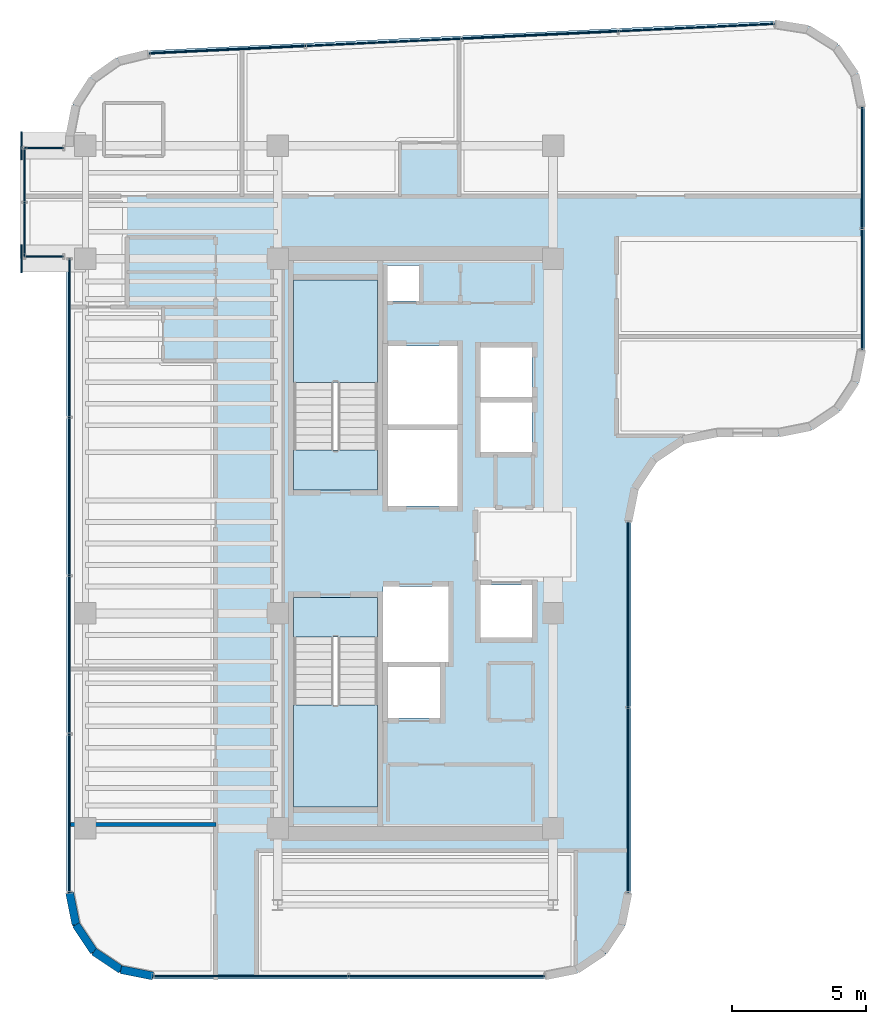
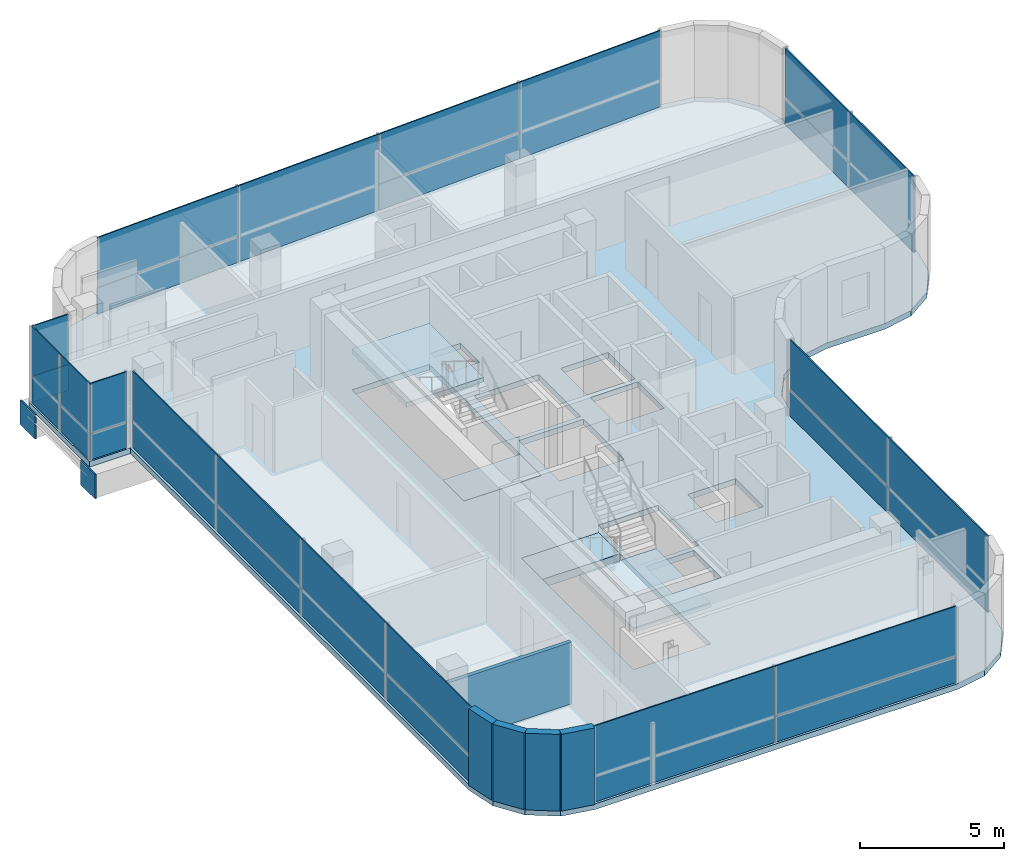
# One storey, part 15 of 20: 30 plates, 5 slabs, 5 walls, 10 elements without a shape of their own.
"""IFC4 building model written with IfcOpenShell, lengths in metres."""

from ifc_helpers import new_model, si_unit, direction, frame, frame_2d, origin, origin_2d, place, context, subcontext, project, spatial, polyline, rectangle, outline, extrude, source, transform, mapped, material, layer, layer_set, type_object, element, aggregate, save


model = new_model("IFC4")

# Units and contexts
model_context = context("Model", 3, precision=1e-05, world=origin(), true_north=direction((0.0, 1.0)))
body_context = subcontext(model_context, "Body", "Model", "MODEL_VIEW")
ifc_project = project(units=[si_unit("LENGTHUNIT", "METRE"), si_unit("AREAUNIT", "SQUARE_METRE"), si_unit("VOLUMEUNIT", "CUBIC_METRE"), si_unit("PLANEANGLEUNIT", "RADIAN"), si_unit("MASSUNIT", "GRAM", prefix="KILO")], contexts=[model_context])

# Site, building, storey
site_placement = place(None, origin())
site = spatial("IfcSite", under=ifc_project, at=site_placement, CompositionType="ELEMENT")
building_placement = place(site_placement, origin())
building = spatial("IfcBuilding", under=site, at=building_placement, Name="Valdorenza Pilgrim Sanctuary Tower", CompositionType="ELEMENT")
storey_placement = place(building_placement, frame((0.0, 0.0, 283.5)))
storey = spatial("IfcBuildingStorey", under=building, at=storey_placement, Name="L74", CompositionType="ELEMENT", Elevation=283.5)

# Slab
ifc_material_1 = material(Name="Concrete C40/50", Category="concrete")
ifc_layer_1 = layer(ifc_material_1, 0.239990234375, Name="Concrete C40/50")
ifc_layer_set_1 = layer_set([ifc_layer_1], Name="Concrete C40/50")
slab_type_1 = type_object("IfcSlabType", Name="SLAB-FLR-220", PredefinedType="FLOOR", material=ifc_layer_set_1)
slab_1_placement = place(storey_placement, frame((0.0, 0.0, -0.239990234375)))
element("IfcSlab", 1, at=slab_1_placement, inside=storey, type_object=slab_type_1, Name="L74 Structural Floor Slab 1", PredefinedType="FLOOR", context=body_context, shape_type="SweptSolid", body=[
    extrude(outline(polyline([(-30.2705078125, 16.3369140625), (-29.615478515625, 17.356201171875), (-28.628173828125, 18.05859375), (-27.45068359375, 18.34375), (-4.150634765625, 19.442138671875), (-2.880615234375, 19.243408203125), (-1.791259765625, 18.56103515625), (-1.05810546875, 17.5048828125), (-0.800048828125, 16.24560546875), (-0.800048828125, 7.199951171875), (-1.043701171875, 5.975341796875), (-1.7373046875, 4.937255859375), (-2.775390625, 4.24365234375), (-4.0, 4.0), (-6.300048828125, 4.0), (-7.524658203125, 3.75634765625), (-8.562744140625, 3.062744140625), (-9.25634765625, 2.024658203125), (-9.5, 0.800048828125), (-9.5, -13.0), (-9.74365234375, -14.224609375), (-10.437255859375, -15.2626953125), (-11.475341796875, -15.956298828125), (-12.699951171875, -16.199951171875), (-27.300048828125, -16.199951171875), (-28.524658203125, -15.956298828125), (-29.562744140625, -15.2626953125), (-30.25634765625, -14.224609375), (-30.5, -13.0), (-30.5, 10.60009765625), (-32.14990234375, 10.60009765625), (-32.14990234375, 14.800048828125), (-30.5, 14.800048828125), (-30.5, 15.147216796875), (-30.2705078125, 16.3369140625)]), holes=[polyline([(-22.050048828125, -9.800048828125), (-18.93994140625, -9.800048828125), (-18.93994140625, -3.485107421875), (-18.93994140625, -2.0), (-22.050048828125, -2.0), (-22.050048828125, -3.485107421875), (-22.050048828125, -9.800048828125)]), polyline([(-16.60009765625, -6.5), (-16.60009765625, -4.60009765625), (-18.550048828125, -4.60009765625), (-18.550048828125, -6.5), (-16.60009765625, -6.5)]), polyline([(-22.050048828125, 2.0), (-18.93994140625, 2.0), (-18.93994140625, 3.485107421875), (-18.93994140625, 9.800048828125), (-22.050048828125, 9.800048828125), (-22.050048828125, 3.485107421875), (-22.050048828125, 2.0)]), polyline([(-17.360107421875, 9.030029296875), (-17.360107421875, 10.35009765625), (-18.570068359375, 10.35009765625), (-18.570068359375, 9.030029296875), (-17.360107421875, 9.030029296875)]), polyline([(-16.300048828125, -1.60009765625), (-18.719970703125, -1.60009765625), (-18.719970703125, -4.39990234375), (-16.300048828125, -4.39990234375), (-16.300048828125, -1.60009765625)]), polyline([(-13.179931640625, -3.5), (-13.179931640625, -1.550048828125), (-15.10009765625, -1.550048828125), (-15.10009765625, -3.5), (-13.179931640625, -3.5)]), polyline([(-15.949951171875, 1.39990234375), (-15.949951171875, 4.22509765625), (-18.550048828125, 4.22509765625), (-18.550048828125, 1.39990234375), (-15.949951171875, 1.39990234375)]), polyline([(-13.179931640625, 5.25), (-15.10009765625, 5.25), (-15.10009765625, 3.39990234375), (-13.179931640625, 3.39990234375), (-13.179931640625, 5.25)]), polyline([(-15.949951171875, 4.425048828125), (-15.949951171875, 7.35009765625), (-18.550048828125, 7.35009765625), (-18.550048828125, 4.425048828125), (-15.949951171875, 4.425048828125)]), polyline([(-13.179931640625, 5.449951171875), (-13.179931640625, 7.300048828125), (-15.10009765625, 7.300048828125), (-15.10009765625, 5.449951171875), (-13.179931640625, 5.449951171875)])]), origin(), (0.0, 0.0, 1.0), 0.239990234375),
])

# Stair, slab
stair_type = type_object("IfcStairType", Name="STR-DOG-CORE", PredefinedType="HALF_TURN_STAIR", material=ifc_material_1)
stair_1_placement = place(storey_placement, origin())
stair_1 = element("IfcStair", 2, at=stair_1_placement, inside=storey, type_object=stair_type, Name="L74 ST-A1", PredefinedType="HALF_TURN_STAIR")
ifc_layer_2 = layer(ifc_material_1, 0.199951171875, Name="Concrete C40/50")
ifc_layer_set_2 = layer_set([ifc_layer_2], Name="Concrete C40/50")
slab_type_2 = type_object("IfcSlabType", Name="SLAB-STL-200", PredefinedType="LANDING", material=ifc_layer_set_2)
slab_2_placement = place(storey_placement, frame((0.0, 0.0, 1.550048828125)))
slab_2 = element("IfcSlab", 3, at=slab_2_placement, type_object=slab_type_2, Name="ST-A1 landing 1", PredefinedType="LANDING", context=body_context, shape_type="SweptSolid", body=[
    extrude(outline(polyline([(-18.93994140625, 6.0), (-18.93994140625, 9.800048828125), (-22.050048828125, 9.800048828125), (-22.050048828125, 6.0), (-18.93994140625, 6.0)])), origin(), (0.0, 0.0, 1.0), 0.199951171875),
])
aggregate(stair_1, [slab_2])

stair_2_placement = place(storey_placement, origin())
stair_2 = element("IfcStair", 4, at=stair_2_placement, inside=storey, type_object=stair_type, Name="L74 ST-A2", PredefinedType="HALF_TURN_STAIR")
slab_3_placement = place(storey_placement, frame((0.0, 0.0, 1.550048828125)))
slab_3 = element("IfcSlab", 5, at=slab_3_placement, type_object=slab_type_2, Name="ST-A2 landing 1", PredefinedType="LANDING", context=body_context, shape_type="SweptSolid", body=[
    extrude(outline(polyline([(-22.050048828125, -6.0), (-22.050048828125, -9.800048828125), (-18.93994140625, -9.800048828125), (-18.93994140625, -6.0), (-22.050048828125, -6.0)])), origin(), (0.0, 0.0, 1.0), 0.199951171875),
])
aggregate(stair_2, [slab_3])

# Slabs
ifc_material_2 = material(Name="Concrete C50/60", Category="concrete")
ifc_layer_3 = layer(ifc_material_2, 0.39990234375, Name="Concrete C50/60")
ifc_layer_set_3 = layer_set([ifc_layer_3], Name="Concrete C50/60")
slab_type_3 = type_object("IfcSlabType", Name="SLAB-TRF-400", PredefinedType="FLOOR", material=ifc_layer_set_3)
slab_4_placement = place(storey_placement, frame((0.0, 0.0, -0.360107421875)))
element("IfcSlab", 6, at=slab_4_placement, inside=storey, type_object=slab_type_3, Name="L74 ST-A1 Structural Stair Landing Bearing Slab", PredefinedType="FLOOR", context=body_context, shape_type="SweptSolid", body=[
    extrude(outline(polyline([(-22.050048828125, 2.0), (-18.93994140625, 2.0), (-18.93994140625, 3.485107421875), (-22.050048828125, 3.485107421875), (-22.050048828125, 2.0)])), origin(), (0.0, 0.0, 1.0), 0.360107421875),
])
slab_5_placement = place(storey_placement, frame((0.0, 0.0, -0.360107421875)))
element("IfcSlab", 7, at=slab_5_placement, inside=storey, type_object=slab_type_3, Name="L74 ST-A2 Structural Stair Landing Bearing Slab", PredefinedType="FLOOR", context=body_context, shape_type="SweptSolid", body=[
    extrude(outline(polyline([(-22.050048828125, -3.485107421875), (-18.93994140625, -3.485107421875), (-18.93994140625, -2.0), (-22.050048828125, -2.0), (-22.050048828125, -3.485107421875)])), origin(), (0.0, 0.0, 1.0), 0.360107421875),
])

# Plates
ifc_material_3 = material(Name="Steel ASTM A572 Grade 42", Category="steel")
ifc_layer_4 = layer(ifc_material_3, 0.06005859375, Name="Steel ASTM A572 Grade 42")
ifc_layer_set_4 = layer_set([ifc_layer_4], Name="Steel ASTM A572 Grade 42")
plate_type_1 = type_object("IfcPlateType", Name="PLT-CAP-60", PredefinedType="SHEET", material=ifc_layer_set_4)
shared_shape_1 = source(origin(), body_context, "Body", "SweptSolid", [
    extrude(rectangle(XDim=0.06005859375, YDim=1.0400390625, at=origin_2d()), origin(), (0.0, 0.0, 1.0), 1.0400390625),
])
for number, where, z_axis, x_axis, name in (
    (8, (-32.179931640625, 14.800048828125, -1.260009765625), (0.0, 0.0, 1.0), (1.0, 0.0, 0.0), "L74 BOX-WA-L74 Cantilever Tip End Cap N"),
    (9, (-32.179931640625, 10.60009765625, -1.260009765625), (0.0, 0.0, 1.0), (1.0, 0.0, 0.0), "L74 BOX-WA-L74 Cantilever Tip End Cap S"),
):
    element("IfcPlate", number, at=place(storey_placement, frame(where, z_axis=z_axis, x_axis=x_axis)), inside=storey, type_object=plate_type_1, Name=name, PredefinedType="SHEET", context=body_context, shape_type="MappedRepresentation", body=[
        mapped(shared_shape_1, transform((0.0, 0.0, 0.0), x_axis=(1.0, 0.0, 0.0), y_axis=(0.0, 1.0, 0.0), z_axis=(0.0, 0.0, 1.0), scale=1.0)),
    ])

# Curtain wall, plate
ifc_material_4 = material(Name="Curtain-wall IGU glazing", Category="glass")
curtain_wall_type = type_object("IfcCurtainWallType", Name="CW-SYS-02", PredefinedType="NOTDEFINED", material=ifc_material_4)
curtain_wall_1_placement = place(storey_placement, origin())
curtain_wall_1 = element("IfcCurtainWall", 10, at=curtain_wall_1_placement, inside=storey, type_object=curtain_wall_type, Name="L74 Curtain Wall CW-L74-BOX-WA-L74-S", PredefinedType="NOTDEFINED")
ifc_material_5 = material(Name="Honed travertine limestone", Category="masonry")
ifc_layer_5 = layer(ifc_material_5, 0.050048828125, Name="Honed travertine limestone")
ifc_layer_set_5 = layer_set([ifc_layer_5], Name="Honed travertine limestone")
plate_type_2 = type_object("IfcPlateType", Name="CW-SPN-TRV", PredefinedType="USERDEFINED", material=ifc_layer_set_5)
shared_shape_2 = source(origin(), body_context, "Body", "SweptSolid", [
    extrude(rectangle(XDim=1.43994140625, YDim=0.06005859375, at=origin_2d()), origin(), (0.0, 0.0, 1.0), 1.10009765625),
])
plate_1_placement = place(storey_placement, frame((-31.340087890625, 10.679931640625, 0.010009765625), z_axis=(0.0, 0.0, 1.0), x_axis=(-1.0, 0.0, 0.0)))
plate_1 = element("IfcPlate", 11, at=plate_1_placement, type_object=plate_type_2, Name="CW-L74-BOX-WA-L74-S Travertine Spandrel 1", ObjectType="SPANDREL", PredefinedType="USERDEFINED", context=body_context, shape_type="MappedRepresentation", body=[
    mapped(shared_shape_2, transform((0.0, 0.0, 0.0), x_axis=(1.0, 0.0, 0.0), y_axis=(0.0, 1.0, 0.0), z_axis=(0.0, 0.0, 1.0), scale=1.0)),
])

curtain_wall_2_placement = place(storey_placement, origin())
curtain_wall_2 = element("IfcCurtainWall", 12, at=curtain_wall_2_placement, inside=storey, type_object=curtain_wall_type, Name="L74 Curtain Wall CW-L74-BOX-WA-L74-N", PredefinedType="NOTDEFINED")
plate_2_placement = place(storey_placement, frame((-31.340087890625, 14.719970703125, 0.010009765625), z_axis=(0.0, 0.0, 1.0), x_axis=(1.0, 0.0, 0.0)))
plate_2 = element("IfcPlate", 13, at=plate_2_placement, type_object=plate_type_2, Name="CW-L74-BOX-WA-L74-N Travertine Spandrel 1", ObjectType="SPANDREL", PredefinedType="USERDEFINED", context=body_context, shape_type="MappedRepresentation", body=[
    mapped(shared_shape_2, transform((0.0, 0.0, 0.0), x_axis=(1.0, 0.0, 0.0), y_axis=(0.0, 1.0, 0.0), z_axis=(0.0, 0.0, 1.0), scale=1.0)),
])

curtain_wall_3_placement = place(storey_placement, origin())
curtain_wall_3 = element("IfcCurtainWall", 14, at=curtain_wall_3_placement, inside=storey, type_object=curtain_wall_type, Name="L74 Curtain Wall CW-L74-BOX-WA-L74-F", PredefinedType="NOTDEFINED")
shared_shape_3 = source(origin(), body_context, "Body", "SweptSolid", [
    extrude(rectangle(XDim=2.0, YDim=0.06005859375, at=origin_2d()), origin(), (0.0, 0.0, 1.0), 1.10009765625),
])
plate_3_placement = place(storey_placement, frame((-32.070068359375, 11.68994140625, 0.010009765625), z_axis=(0.0, 0.0, 1.0), x_axis=(0.0, 1.0, 0.0)))
plate_3 = element("IfcPlate", 15, at=plate_3_placement, type_object=plate_type_2, Name="CW-L74-BOX-WA-L74-F Travertine Spandrel 1", ObjectType="SPANDREL", PredefinedType="USERDEFINED", context=body_context, shape_type="MappedRepresentation", body=[
    mapped(shared_shape_3, transform((0.0, 0.0, 0.0), x_axis=(1.0, 0.0, 0.0), y_axis=(0.0, 1.0, 0.0), z_axis=(0.0, 0.0, 1.0), scale=1.0)),
])

# Plate
ifc_material_6 = material(Name="Ceramic-fritted low-E IGU glazing", Category="glass")
ifc_layer_6 = layer(ifc_material_6, 0.035888671875, Name="Ceramic-fritted low-E IGU glazing")
ifc_layer_set_6 = layer_set([ifc_layer_6], Name="Ceramic-fritted low-E IGU glazing")
plate_type_3 = type_object("IfcPlateType", Name="CW-GLZ-IGU", PredefinedType="USERDEFINED", material=ifc_layer_set_6)
shared_shape_4 = source(origin(), body_context, "Body", "SweptSolid", [
    extrude(rectangle(XDim=1.43994140625, YDim=0.050048828125, at=origin_2d()), origin(), (0.0, 0.0, 1.0), 2.1201171875),
])
plate_4_placement = place(storey_placement, frame((-31.340087890625, 10.679931640625, 1.1298828125), z_axis=(0.0, 0.0, 1.0), x_axis=(-1.0, 0.0, 0.0)))
plate_4 = element("IfcPlate", 16, at=plate_4_placement, type_object=plate_type_3, Name="CW-L74-BOX-WA-L74-S Facade Panel 1", ObjectType="GLAZING", PredefinedType="USERDEFINED", context=body_context, shape_type="MappedRepresentation", body=[
    mapped(shared_shape_4, transform((0.0, 0.0, 0.0), x_axis=(1.0, 0.0, 0.0), y_axis=(0.0, 1.0, 0.0), z_axis=(0.0, 0.0, 1.0), scale=1.0)),
])

aggregate(curtain_wall_1, [plate_1, plate_4])

plate_5_placement = place(storey_placement, frame((-31.340087890625, 14.719970703125, 1.1298828125), z_axis=(0.0, 0.0, 1.0), x_axis=(1.0, 0.0, 0.0)))
plate_5 = element("IfcPlate", 17, at=plate_5_placement, type_object=plate_type_3, Name="CW-L74-BOX-WA-L74-N Facade Panel 1", ObjectType="GLAZING", PredefinedType="USERDEFINED", context=body_context, shape_type="MappedRepresentation", body=[
    mapped(shared_shape_4, transform((0.0, 0.0, 0.0), x_axis=(1.0, 0.0, 0.0), y_axis=(0.0, 1.0, 0.0), z_axis=(0.0, 0.0, 1.0), scale=1.0)),
])

aggregate(curtain_wall_2, [plate_2, plate_5])

shared_shape_5 = source(origin(), body_context, "Body", "SweptSolid", [
    extrude(rectangle(XDim=2.0, YDim=0.050048828125, at=origin_2d()), origin(), (0.0, 0.0, 1.0), 2.1201171875),
])
plate_6_placement = place(storey_placement, frame((-32.070068359375, 11.68994140625, 1.1298828125), z_axis=(0.0, 0.0, 1.0), x_axis=(0.0, 1.0, 0.0)))
plate_6 = element("IfcPlate", 18, at=plate_6_placement, type_object=plate_type_3, Name="CW-L74-BOX-WA-L74-F Facade Panel 1", ObjectType="GLAZING", PredefinedType="USERDEFINED", context=body_context, shape_type="MappedRepresentation", body=[
    mapped(shared_shape_5, transform((0.0, 0.0, 0.0), x_axis=(1.0, 0.0, 0.0), y_axis=(0.0, 1.0, 0.0), z_axis=(0.0, 0.0, 1.0), scale=1.0)),
])

shared_shape_6 = source(origin(), body_context, "Body", "SweptSolid", [
    extrude(rectangle(XDim=2.0, YDim=0.050048828125, at=origin_2d()), origin(), (0.0, 0.0, 1.0), 3.239990234375),
])
plate_7_placement = place(storey_placement, frame((-32.070068359375, 13.7099609375, 0.009765625), z_axis=(0.0, 0.0, 1.0), x_axis=(0.0, 1.0, 0.0)))
plate_7 = element("IfcPlate", 19, at=plate_7_placement, type_object=plate_type_3, Name="CW-L74-BOX-WA-L74-F Full-Height Facade Panel 2", ObjectType="GLAZING", PredefinedType="USERDEFINED", context=body_context, shape_type="MappedRepresentation", body=[
    mapped(shared_shape_6, transform((0.0, 0.0, 0.0), x_axis=(1.0, 0.0, 0.0), y_axis=(0.0, 1.0, 0.0), z_axis=(0.0, 0.0, 1.0), scale=1.0)),
])

aggregate(curtain_wall_3, [plate_3, plate_6, plate_7])

# Curtain wall, plates
curtain_wall_4_placement = place(storey_placement, origin())
curtain_wall_4 = element("IfcCurtainWall", 20, at=curtain_wall_4_placement, inside=storey, type_object=curtain_wall_type, Name="L74 Curtain Wall CW-L74-1-6", PredefinedType="NOTDEFINED")
shared_shape_7 = source(origin(), body_context, "Body", "SweptSolid", [
    extrude(rectangle(XDim=5.805908203125, YDim=0.06005859375, at=origin_2d()), origin(), (0.0, 0.0, 1.0), 1.10009765625),
])
plate_8_placement = place(storey_placement, frame((-24.525146484375, 18.37158203125, 0.010009765625), z_axis=(0.0, 0.0, 1.0), x_axis=(0.998890696972, 0.047089016785, 0.0)))
plate_8 = element("IfcPlate", 21, at=plate_8_placement, type_object=plate_type_2, Name="CW-L74-1-6 Travertine Spandrel 1", ObjectType="SPANDREL", PredefinedType="USERDEFINED", context=body_context, shape_type="MappedRepresentation", body=[
    mapped(shared_shape_7, transform((0.0, 0.0, 0.0), x_axis=(1.0, 0.0, 0.0), y_axis=(0.0, 1.0, 0.0), z_axis=(0.0, 0.0, 1.0), scale=1.0)),
])
plate_9_placement = place(storey_placement, frame((-12.885986328125, 18.920166015625, 0.010009765625), z_axis=(0.0, 0.0, 1.0), x_axis=(0.998890696972, 0.047089016785, 0.0)))
plate_9 = element("IfcPlate", 22, at=plate_9_placement, type_object=plate_type_2, Name="CW-L74-1-6 Travertine Spandrel 3", ObjectType="SPANDREL", PredefinedType="USERDEFINED", context=body_context, shape_type="MappedRepresentation", body=[
    mapped(shared_shape_7, transform((0.0, 0.0, 0.0), x_axis=(1.0, 0.0, 0.0), y_axis=(0.0, 1.0, 0.0), z_axis=(0.0, 0.0, 1.0), scale=1.0)),
])
shared_shape_8 = source(origin(), body_context, "Body", "SweptSolid", [
    extrude(rectangle(XDim=5.805908203125, YDim=0.050048828125, at=origin_2d()), origin(), (0.0, 0.0, 1.0), 2.1201171875),
])
plate_10_placement = place(storey_placement, frame((-24.525146484375, 18.37158203125, 1.1298828125), z_axis=(0.0, 0.0, 1.0), x_axis=(0.998890696972, 0.047089016785, 0.0)))
plate_10 = element("IfcPlate", 23, at=plate_10_placement, type_object=plate_type_3, Name="CW-L74-1-6 Facade Panel 1", ObjectType="GLAZING", PredefinedType="USERDEFINED", context=body_context, shape_type="MappedRepresentation", body=[
    mapped(shared_shape_8, transform((0.0, 0.0, 0.0), x_axis=(1.0, 0.0, 0.0), y_axis=(0.0, 1.0, 0.0), z_axis=(0.0, 0.0, 1.0), scale=1.0)),
])
plate_11_placement = place(storey_placement, frame((-12.885986328125, 18.920166015625, 1.1298828125), z_axis=(0.0, 0.0, 1.0), x_axis=(0.998890696972, 0.047089016785, 0.0)))
plate_11 = element("IfcPlate", 24, at=plate_11_placement, type_object=plate_type_3, Name="CW-L74-1-6 Facade Panel 3", ObjectType="GLAZING", PredefinedType="USERDEFINED", context=body_context, shape_type="MappedRepresentation", body=[
    mapped(shared_shape_8, transform((0.0, 0.0, 0.0), x_axis=(1.0, 0.0, 0.0), y_axis=(0.0, 1.0, 0.0), z_axis=(0.0, 0.0, 1.0), scale=1.0)),
])
shared_shape_9 = source(origin(), body_context, "Body", "SweptSolid", [
    extrude(rectangle(XDim=5.805908203125, YDim=0.050048828125, at=origin_2d()), origin(), (0.0, 0.0, 1.0), 3.239990234375),
])
plate_12_placement = place(storey_placement, frame((-18.70556640625, 18.645751953125, 0.009765625), z_axis=(0.0, 0.0, 1.0), x_axis=(0.998890696972, 0.047089016785, 0.0)))
plate_12 = element("IfcPlate", 25, at=plate_12_placement, type_object=plate_type_3, Name="CW-L74-1-6 Full-Height Facade Panel 2", ObjectType="GLAZING", PredefinedType="USERDEFINED", context=body_context, shape_type="MappedRepresentation", body=[
    mapped(shared_shape_9, transform((0.0, 0.0, 0.0), x_axis=(1.0, 0.0, 0.0), y_axis=(0.0, 1.0, 0.0), z_axis=(0.0, 0.0, 1.0), scale=1.0)),
])
plate_13_placement = place(storey_placement, frame((-7.06640625, 19.194580078125, 0.009765625), z_axis=(0.0, 0.0, 1.0), x_axis=(0.998890696972, 0.047089016785, 0.0)))
plate_13 = element("IfcPlate", 26, at=plate_13_placement, type_object=plate_type_3, Name="CW-L74-1-6 Full-Height Facade Panel 4", ObjectType="GLAZING", PredefinedType="USERDEFINED", context=body_context, shape_type="MappedRepresentation", body=[
    mapped(shared_shape_9, transform((0.0, 0.0, 0.0), x_axis=(1.0, 0.0, 0.0), y_axis=(0.0, 1.0, 0.0), z_axis=(0.0, 0.0, 1.0), scale=1.0)),
])
aggregate(curtain_wall_4, [plate_8, plate_10, plate_12, plate_9, plate_11, plate_13])

curtain_wall_5_placement = place(storey_placement, origin())
curtain_wall_5 = element("IfcCurtainWall", 27, at=curtain_wall_5_placement, inside=storey, type_object=curtain_wall_type, Name="L74 Curtain Wall CW-L74-1-11", PredefinedType="NOTDEFINED")
shared_shape_10 = source(origin(), body_context, "Body", "SweptSolid", [
    extrude(rectangle(XDim=4.49169921875, YDim=0.06005859375, at=origin_2d()), origin(), (0.0, 0.0, 1.0), 1.10009765625),
])
plate_14_placement = place(storey_placement, frame((-0.909912109375, 13.978515625, 0.010009765625), z_axis=(0.0, 0.0, 1.0), x_axis=(0.0, -1.0, 0.0)))
plate_14 = element("IfcPlate", 28, at=plate_14_placement, type_object=plate_type_2, Name="CW-L74-1-11 Travertine Spandrel 1", ObjectType="SPANDREL", PredefinedType="USERDEFINED", context=body_context, shape_type="MappedRepresentation", body=[
    mapped(shared_shape_10, transform((0.0, 0.0, 0.0), x_axis=(1.0, 0.0, 0.0), y_axis=(0.0, 1.0, 0.0), z_axis=(0.0, 0.0, 1.0), scale=1.0)),
])
shared_shape_11 = source(origin(), body_context, "Body", "SweptSolid", [
    extrude(rectangle(XDim=4.49169921875, YDim=0.050048828125, at=origin_2d()), origin(), (0.0, 0.0, 1.0), 2.1201171875),
])
plate_15_placement = place(storey_placement, frame((-0.909912109375, 13.978515625, 1.1298828125), z_axis=(0.0, 0.0, 1.0), x_axis=(0.0, -1.0, 0.0)))
plate_15 = element("IfcPlate", 29, at=plate_15_placement, type_object=plate_type_3, Name="CW-L74-1-11 Facade Panel 1", ObjectType="GLAZING", PredefinedType="USERDEFINED", context=body_context, shape_type="MappedRepresentation", body=[
    mapped(shared_shape_11, transform((0.0, 0.0, 0.0), x_axis=(1.0, 0.0, 0.0), y_axis=(0.0, 1.0, 0.0), z_axis=(0.0, 0.0, 1.0), scale=1.0)),
])
shared_shape_12 = source(origin(), body_context, "Body", "SweptSolid", [
    extrude(rectangle(XDim=4.49169921875, YDim=0.050048828125, at=origin_2d()), origin(), (0.0, 0.0, 1.0), 3.239990234375),
])
plate_16_placement = place(storey_placement, frame((-0.909912109375, 9.466796875, 0.009765625), z_axis=(0.0, 0.0, 1.0), x_axis=(0.0, -1.0, 0.0)))
plate_16 = element("IfcPlate", 30, at=plate_16_placement, type_object=plate_type_3, Name="CW-L74-1-11 Full-Height Facade Panel 2", ObjectType="GLAZING", PredefinedType="USERDEFINED", context=body_context, shape_type="MappedRepresentation", body=[
    mapped(shared_shape_12, transform((0.0, 0.0, 0.0), x_axis=(1.0, 0.0, 0.0), y_axis=(0.0, 1.0, 0.0), z_axis=(0.0, 0.0, 1.0), scale=1.0)),
])
aggregate(curtain_wall_5, [plate_14, plate_15, plate_16])

curtain_wall_6_placement = place(storey_placement, origin())
curtain_wall_6 = element("IfcCurtainWall", 31, at=curtain_wall_6_placement, inside=storey, type_object=curtain_wall_type, Name="L74 Curtain Wall CW-L74-1-21", PredefinedType="NOTDEFINED")
shared_shape_13 = source(origin(), body_context, "Body", "SweptSolid", [
    extrude(rectangle(XDim=6.8798828125, YDim=0.06005859375, at=origin_2d()), origin(), (0.0, 0.0, 1.0), 1.10009765625),
])
plate_17_placement = place(storey_placement, frame((-9.610107421875, -2.63916015625, 0.010009765625), z_axis=(0.0, 0.0, 1.0), x_axis=(0.0, -1.0, 0.0)))
plate_17 = element("IfcPlate", 32, at=plate_17_placement, type_object=plate_type_2, Name="CW-L74-1-21 Travertine Spandrel 1", ObjectType="SPANDREL", PredefinedType="USERDEFINED", context=body_context, shape_type="MappedRepresentation", body=[
    mapped(shared_shape_13, transform((0.0, 0.0, 0.0), x_axis=(1.0, 0.0, 0.0), y_axis=(0.0, 1.0, 0.0), z_axis=(0.0, 0.0, 1.0), scale=1.0)),
])
shared_shape_14 = source(origin(), body_context, "Body", "SweptSolid", [
    extrude(rectangle(XDim=6.8798828125, YDim=0.050048828125, at=origin_2d()), origin(), (0.0, 0.0, 1.0), 2.1201171875),
])
plate_18_placement = place(storey_placement, frame((-9.610107421875, -2.63916015625, 1.1298828125), z_axis=(0.0, 0.0, 1.0), x_axis=(0.0, -1.0, 0.0)))
plate_18 = element("IfcPlate", 33, at=plate_18_placement, type_object=plate_type_3, Name="CW-L74-1-21 Facade Panel 1", ObjectType="GLAZING", PredefinedType="USERDEFINED", context=body_context, shape_type="MappedRepresentation", body=[
    mapped(shared_shape_14, transform((0.0, 0.0, 0.0), x_axis=(1.0, 0.0, 0.0), y_axis=(0.0, 1.0, 0.0), z_axis=(0.0, 0.0, 1.0), scale=1.0)),
])
shared_shape_15 = source(origin(), body_context, "Body", "SweptSolid", [
    extrude(rectangle(XDim=6.8798828125, YDim=0.050048828125, at=origin_2d()), origin(), (0.0, 0.0, 1.0), 3.239990234375),
])
plate_19_placement = place(storey_placement, frame((-9.610107421875, -9.539306640625, 0.009765625), z_axis=(0.0, 0.0, 1.0), x_axis=(0.0, -1.0, 0.0)))
plate_19 = element("IfcPlate", 34, at=plate_19_placement, type_object=plate_type_3, Name="CW-L74-1-21 Full-Height Facade Panel 2", ObjectType="GLAZING", PredefinedType="USERDEFINED", context=body_context, shape_type="MappedRepresentation", body=[
    mapped(shared_shape_15, transform((0.0, 0.0, 0.0), x_axis=(1.0, 0.0, 0.0), y_axis=(0.0, 1.0, 0.0), z_axis=(0.0, 0.0, 1.0), scale=1.0)),
])
aggregate(curtain_wall_6, [plate_17, plate_18, plate_19])

curtain_wall_7_placement = place(storey_placement, origin())
curtain_wall_7 = element("IfcCurtainWall", 35, at=curtain_wall_7_placement, inside=storey, type_object=curtain_wall_type, Name="L74 Curtain Wall CW-L74-1-26", PredefinedType="NOTDEFINED")
shared_shape_16 = source(origin(), body_context, "Body", "SweptSolid", [
    extrude(rectangle(XDim=7.269287109375, YDim=0.06005859375, at=origin_2d()), origin(), (0.0, 0.0, 1.0), 1.10009765625),
])
plate_20_placement = place(storey_placement, frame((-16.35546875, -16.090087890625, 0.010009765625), z_axis=(0.0, 0.0, 1.0), x_axis=(-1.0, 0.0, 0.0)))
plate_20 = element("IfcPlate", 36, at=plate_20_placement, type_object=plate_type_2, Name="CW-L74-1-26 Travertine Spandrel 1", ObjectType="SPANDREL", PredefinedType="USERDEFINED", context=body_context, shape_type="MappedRepresentation", body=[
    mapped(shared_shape_16, transform((0.0, 0.0, 0.0), x_axis=(1.0, 0.0, 0.0), y_axis=(0.0, 1.0, 0.0), z_axis=(0.0, 0.0, 1.0), scale=1.0)),
])
shared_shape_17 = source(origin(), body_context, "Body", "SweptSolid", [
    extrude(rectangle(XDim=7.269287109375, YDim=0.050048828125, at=origin_2d()), origin(), (0.0, 0.0, 1.0), 2.1201171875),
])
plate_21_placement = place(storey_placement, frame((-16.35546875, -16.090087890625, 1.1298828125), z_axis=(0.0, 0.0, 1.0), x_axis=(-1.0, 0.0, 0.0)))
plate_21 = element("IfcPlate", 37, at=plate_21_placement, type_object=plate_type_3, Name="CW-L74-1-26 Facade Panel 1", ObjectType="GLAZING", PredefinedType="USERDEFINED", context=body_context, shape_type="MappedRepresentation", body=[
    mapped(shared_shape_17, transform((0.0, 0.0, 0.0), x_axis=(1.0, 0.0, 0.0), y_axis=(0.0, 1.0, 0.0), z_axis=(0.0, 0.0, 1.0), scale=1.0)),
])
shared_shape_18 = source(origin(), body_context, "Body", "SweptSolid", [
    extrude(rectangle(XDim=7.269287109375, YDim=0.050048828125, at=origin_2d()), origin(), (0.0, 0.0, 1.0), 3.239990234375),
])
plate_22_placement = place(storey_placement, frame((-23.64453125, -16.090087890625, 0.009765625), z_axis=(0.0, 0.0, 1.0), x_axis=(-1.0, 0.0, 0.0)))
plate_22 = element("IfcPlate", 38, at=plate_22_placement, type_object=plate_type_3, Name="CW-L74-1-26 Full-Height Facade Panel 2", ObjectType="GLAZING", PredefinedType="USERDEFINED", context=body_context, shape_type="MappedRepresentation", body=[
    mapped(shared_shape_18, transform((0.0, 0.0, 0.0), x_axis=(1.0, 0.0, 0.0), y_axis=(0.0, 1.0, 0.0), z_axis=(0.0, 0.0, 1.0), scale=1.0)),
])
aggregate(curtain_wall_7, [plate_20, plate_21, plate_22])

curtain_wall_8_placement = place(storey_placement, origin())
curtain_wall_8 = element("IfcCurtainWall", 39, at=curtain_wall_8_placement, inside=storey, type_object=curtain_wall_type, Name="L74 Curtain Wall CW-L74-1-1S1", PredefinedType="NOTDEFINED")
shared_shape_19 = source(origin(), body_context, "Body", "SweptSolid", [
    extrude(rectangle(XDim=5.877197265625, YDim=0.06005859375, at=origin_2d()), origin(), (0.0, 0.0, 1.0), 1.10009765625),
])
plate_23_placement = place(storey_placement, frame((-30.389892578125, -10.04052734375, 0.010009765625), z_axis=(0.0, 0.0, 1.0), x_axis=(0.0, 1.0, 0.0)))
plate_23 = element("IfcPlate", 40, at=plate_23_placement, type_object=plate_type_2, Name="CW-L74-1-1S1 Travertine Spandrel 1", ObjectType="SPANDREL", PredefinedType="USERDEFINED", context=body_context, shape_type="MappedRepresentation", body=[
    mapped(shared_shape_19, transform((0.0, 0.0, 0.0), x_axis=(1.0, 0.0, 0.0), y_axis=(0.0, 1.0, 0.0), z_axis=(0.0, 0.0, 1.0), scale=1.0)),
])
plate_24_placement = place(storey_placement, frame((-30.389892578125, 1.75390625, 0.010009765625), z_axis=(0.0, 0.0, 1.0), x_axis=(0.0, 1.0, 0.0)))
plate_24 = element("IfcPlate", 41, at=plate_24_placement, type_object=plate_type_2, Name="CW-L74-1-1S1 Travertine Spandrel 3", ObjectType="SPANDREL", PredefinedType="USERDEFINED", context=body_context, shape_type="MappedRepresentation", body=[
    mapped(shared_shape_19, transform((0.0, 0.0, 0.0), x_axis=(1.0, 0.0, 0.0), y_axis=(0.0, 1.0, 0.0), z_axis=(0.0, 0.0, 1.0), scale=1.0)),
])
shared_shape_20 = source(origin(), body_context, "Body", "SweptSolid", [
    extrude(rectangle(XDim=5.877197265625, YDim=0.050048828125, at=origin_2d()), origin(), (0.0, 0.0, 1.0), 2.1201171875),
])
plate_25_placement = place(storey_placement, frame((-30.389892578125, -10.04052734375, 1.1298828125), z_axis=(0.0, 0.0, 1.0), x_axis=(0.0, 1.0, 0.0)))
plate_25 = element("IfcPlate", 42, at=plate_25_placement, type_object=plate_type_3, Name="CW-L74-1-1S1 Facade Panel 1", ObjectType="GLAZING", PredefinedType="USERDEFINED", context=body_context, shape_type="MappedRepresentation", body=[
    mapped(shared_shape_20, transform((0.0, 0.0, 0.0), x_axis=(1.0, 0.0, 0.0), y_axis=(0.0, 1.0, 0.0), z_axis=(0.0, 0.0, 1.0), scale=1.0)),
])
plate_26_placement = place(storey_placement, frame((-30.389892578125, 1.75390625, 1.1298828125), z_axis=(0.0, 0.0, 1.0), x_axis=(0.0, 1.0, 0.0)))
plate_26 = element("IfcPlate", 43, at=plate_26_placement, type_object=plate_type_3, Name="CW-L74-1-1S1 Facade Panel 3", ObjectType="GLAZING", PredefinedType="USERDEFINED", context=body_context, shape_type="MappedRepresentation", body=[
    mapped(shared_shape_20, transform((0.0, 0.0, 0.0), x_axis=(1.0, 0.0, 0.0), y_axis=(0.0, 1.0, 0.0), z_axis=(0.0, 0.0, 1.0), scale=1.0)),
])
shared_shape_21 = source(origin(), body_context, "Body", "SweptSolid", [
    extrude(rectangle(XDim=5.877197265625, YDim=0.050048828125, at=origin_2d()), origin(), (0.0, 0.0, 1.0), 3.239990234375),
])
plate_27_placement = place(storey_placement, frame((-30.389892578125, -4.143310546875, 0.009765625), z_axis=(0.0, 0.0, 1.0), x_axis=(0.0, 1.0, 0.0)))
plate_27 = element("IfcPlate", 44, at=plate_27_placement, type_object=plate_type_3, Name="CW-L74-1-1S1 Full-Height Facade Panel 2", ObjectType="GLAZING", PredefinedType="USERDEFINED", context=body_context, shape_type="MappedRepresentation", body=[
    mapped(shared_shape_21, transform((0.0, 0.0, 0.0), x_axis=(1.0, 0.0, 0.0), y_axis=(0.0, 1.0, 0.0), z_axis=(0.0, 0.0, 1.0), scale=1.0)),
])
plate_28_placement = place(storey_placement, frame((-30.389892578125, 7.6513671875, 0.009765625), z_axis=(0.0, 0.0, 1.0), x_axis=(0.0, 1.0, 0.0)))
plate_28 = element("IfcPlate", 45, at=plate_28_placement, type_object=plate_type_3, Name="CW-L74-1-1S1 Full-Height Facade Panel 4", ObjectType="GLAZING", PredefinedType="USERDEFINED", context=body_context, shape_type="MappedRepresentation", body=[
    mapped(shared_shape_21, transform((0.0, 0.0, 0.0), x_axis=(1.0, 0.0, 0.0), y_axis=(0.0, 1.0, 0.0), z_axis=(0.0, 0.0, 1.0), scale=1.0)),
])
aggregate(curtain_wall_8, [plate_23, plate_25, plate_27, plate_24, plate_26, plate_28])

# Walls
ifc_layer_7 = layer(ifc_material_5, 0.300048828125, Name="Honed travertine limestone")
ifc_layer_set_7 = layer_set([ifc_layer_7], Name="Honed travertine limestone")
wall_type_1 = type_object("IfcWallType", Name="WAL-EXT-300", PredefinedType="SOLIDWALL", material=ifc_layer_set_7)
wall_1_placement = place(storey_placement, frame((-27.289306640625, -16.090087890625, 0.0), z_axis=(0.0, 0.0, 1.0), x_axis=(-0.980765602568, 0.195189223115, 0.0)))
element("IfcWall", 46, at=wall_1_placement, inside=storey, type_object=wall_type_1, Name="L74 Rounded Wind-Corner Stone Pier 27", PredefinedType="SOLIDWALL", context=body_context, shape_type="SweptSolid", body=[
    extrude(rectangle(XDim=1.2158203125, YDim=0.300048828125, at=frame_2d((0.60791015625, 0.0))), origin(), (0.0, 0.0, 1.0), 3.260009765625),
])
for number, where, z_axis, x_axis, name in (
    (47, (-28.481689453125, -15.852783203125, 0.0), (0.0, 0.0, 1.0), (-0.831426265255, 0.555635100982, 0.0), "L74 Rounded Wind-Corner Stone Pier 28"),
    (48, (-29.4833984375, -15.183349609375, 0.0), (0.0, 0.0, 1.0), (-0.555635100982, 0.831426265255, 0.0), "L74 Rounded Wind-Corner Stone Pier 29"),
):
    element("IfcWall", number, at=place(storey_placement, frame(where, z_axis=z_axis, x_axis=x_axis)), inside=storey, type_object=wall_type_1, Name=name, PredefinedType="SOLIDWALL", context=body_context, shape_type="SweptSolid", body=[
        extrude(rectangle(XDim=1.204833984375, YDim=0.300048828125, at=frame_2d((0.6025390625, 0.0))), origin(), (0.0, 0.0, 1.0), 3.260009765625),
    ])
wall_2_placement = place(storey_placement, frame((-30.15283203125, -14.181640625, 0.0), z_axis=(0.0, 0.0, 1.0), x_axis=(-0.194996050505, 0.980804027463, 0.0)))
element("IfcWall", 49, at=wall_2_placement, inside=storey, type_object=wall_type_1, Name="L74 Rounded Wind-Corner Stone Pier 30", PredefinedType="SOLIDWALL", context=body_context, shape_type="SweptSolid", body=[
    extrude(rectangle(XDim=1.2158203125, YDim=0.300048828125, at=frame_2d((0.60791015625, 0.0))), origin(), (0.0, 0.0, 1.0), 3.260009765625),
])
ifc_material_7 = material(Name="Acoustic twin-stud gypsum partition", Category="gypsum")
ifc_layer_8 = layer(ifc_material_7, 0.14990234375, Name="Acoustic twin-stud gypsum partition")
ifc_layer_set_8 = layer_set([ifc_layer_8], Name="Acoustic twin-stud gypsum partition")
wall_type_2 = type_object("IfcWallType", Name="WAL-UNT-150", PredefinedType="PARTITIONING", material=ifc_layer_set_8)
wall_3_placement = place(storey_placement, frame((-30.389892578125, -10.455078125, 0.0), z_axis=(0.0, 0.0, 1.0), x_axis=(1.0, 0.0, 0.0)))
element("IfcWall", 50, at=wall_3_placement, inside=storey, type_object=wall_type_2, Name="L74 Theological Reference Library L74 Demising Wall", PredefinedType="PARTITIONING", context=body_context, shape_type="SweptSolid", body=[
    extrude(rectangle(XDim=5.43994140625, YDim=0.14990234375, at=frame_2d((2.719970703125, 0.0))), origin(), (0.0, 0.0, 1.0), 2.623046875),
])

save(model, "model.ifc")
